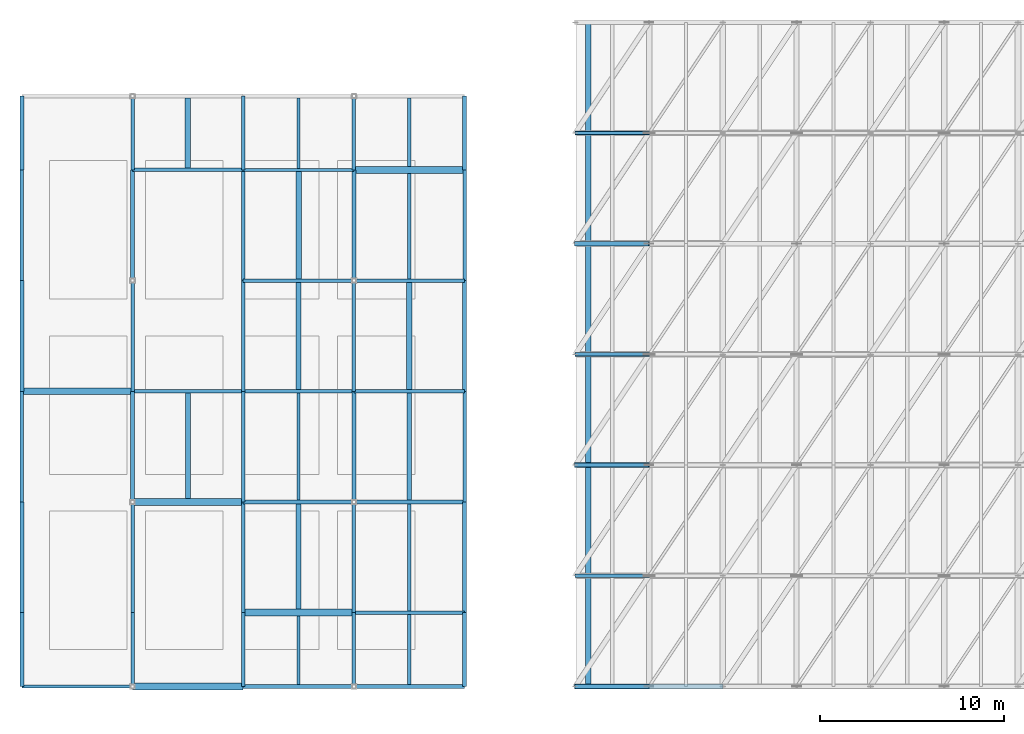
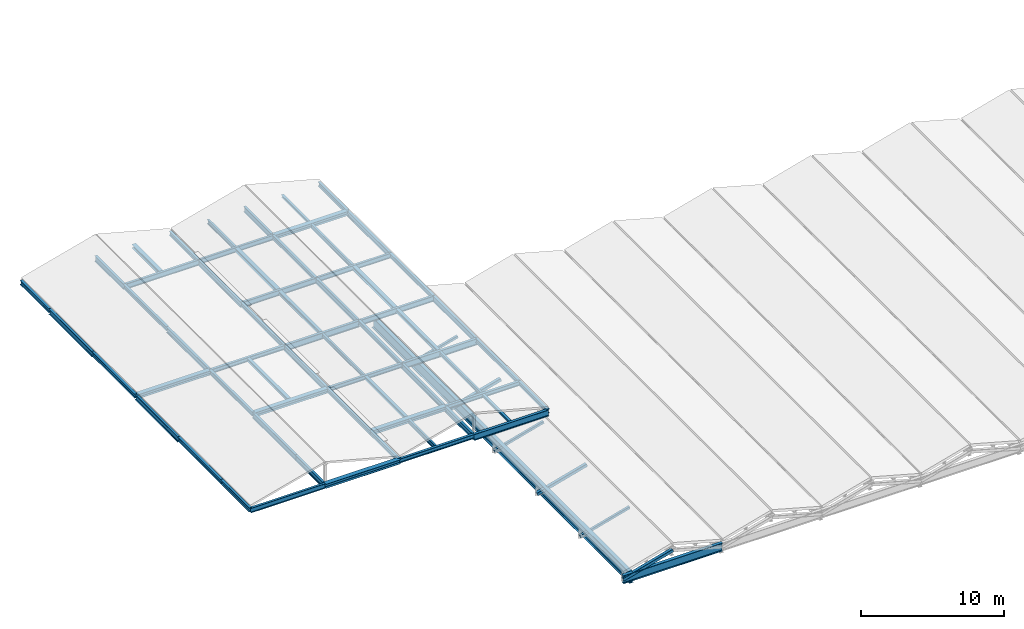
# One storey, part 3 of 27: 64 beams, 6 members.
"""IFC4 building model written with IfcOpenShell, lengths in metres."""

from ifc_helpers import new_model, si_unit, direction, frame, origin, origin_2d, place, context, subcontext, project, spatial, hollow_rectangle, i_section, extrude, material, material_profile, profile_set, type_object, element, save


model = new_model("IFC4")

# Units and contexts
model_context = context("Model", 3, precision=1e-05, world=origin(), true_north=direction((0.0, 1.0)))
body_context = subcontext(model_context, "Body", "Model", "MODEL_VIEW")
ifc_project = project(units=[si_unit("LENGTHUNIT", "METRE"), si_unit("AREAUNIT", "SQUARE_METRE"), si_unit("VOLUMEUNIT", "CUBIC_METRE"), si_unit("PLANEANGLEUNIT", "RADIAN"), si_unit("MASSUNIT", "GRAM", prefix="KILO")], contexts=[model_context])

# Site, building, storey
site_placement = place(None, origin())
site = spatial("IfcSite", under=ifc_project, at=site_placement, CompositionType="ELEMENT")
building_placement = place(site_placement, origin())
building = spatial("IfcBuilding", under=site, at=building_placement, Name="Verrall Gate Interchange", CompositionType="ELEMENT")
storey_placement = place(building_placement, frame((0.0, 0.0, 32.800048828125)))
storey = spatial("IfcBuildingStorey", under=building, at=storey_placement, Name="RF", CompositionType="ELEMENT", Elevation=32.800048828125)

# Beams
ifc_material_1 = material(Name="Structural Steel CSA G40.21 350WT Cat 4", Category="steel")
ifc_material_profile_1 = material_profile(ifc_material_1, i_section(OverallWidth=0.30810546875, OverallDepth=0.927001953125, WebThickness=0.019287109375, FlangeThickness=0.03173828125, FilletRadius=0.02197265625, at=origin_2d()), Name="W920x345")
ifc_profile_set_1 = profile_set([ifc_material_profile_1], Name="Structural Steel CSA G40.21 350WT Cat 4")
beam_type_1 = type_object("IfcBeamType", Name="B-04 Structural Beam W920x345", PredefinedType="BEAM", material=ifc_profile_set_1)
beam_1_placement = place(storey_placement, frame((36.699951171875, 12.0, -16.921630859375), z_axis=(0.0, 1.0, 0.0), x_axis=(-1.0, 0.0, 0.0)))
element("IfcBeam", 1, at=beam_1_placement, inside=storey, type_object=beam_type_1, Name="Folded-Plate Valley Girder X=36", PredefinedType="BEAM", context=body_context, shape_type="SweptSolid", body=[
    extrude(i_section(OverallWidth=0.30810546875, OverallDepth=0.927001953125, WebThickness=0.019287109375, FlangeThickness=0.03173828125, FilletRadius=0.02197265625, at=origin_2d()), origin(), (0.0, 0.0, 1.0), 36.0),
])
ifc_material_2 = material(Name="Structural Steel CSA G40.21 350WT Cat 4", Category="steel")
ifc_material_profile_2 = material_profile(ifc_material_2, i_section(OverallWidth=0.256103515625, OverallDepth=0.693115234375, WebThickness=0.01318359375, FlangeThickness=0.02001953125, FilletRadius=0.01611328125, at=origin_2d()), Name="W690x170")
ifc_profile_set_2 = profile_set([ifc_material_profile_2], Name="Structural Steel CSA G40.21 350WT Cat 4")
beam_type_2 = type_object("IfcBeamType", Name="B-07 Structural Beam W690x170", PredefinedType="BEAM", material=ifc_profile_set_2)
beam_2_placement = place(storey_placement, frame((36.0, 12.0, -16.8046875), z_axis=(1.0, 0.0, 0.0), x_axis=(0.0, 1.0, 0.0)))
element("IfcBeam", 2, at=beam_2_placement, inside=storey, type_object=beam_type_2, Name="Concourse Roof End Tie Girder 01", PredefinedType="BEAM", context=body_context, shape_type="SweptSolid", body=[
    extrude(i_section(OverallWidth=0.256103515625, OverallDepth=0.693115234375, WebThickness=0.01318359375, FlangeThickness=0.02001953125, FilletRadius=0.01611328125, at=origin_2d()), origin(), (0.0, 0.0, 1.0), 8.0),
])
ifc_material_3 = material(Name="Structural Steel CSA G40.21 350W", Category="steel")
ifc_material_profile_3 = material_profile(ifc_material_3, i_section(OverallWidth=0.2109375, OverallDepth=0.5390625, WebThickness=0.01171875, FlangeThickness=0.018798828125, FilletRadius=0.013916015625, at=origin_2d()), Name="W530x109")
ifc_profile_set_3 = profile_set([ifc_material_profile_3], Name="Structural Steel CSA G40.21 350W")
beam_type_3 = type_object("IfcBeamType", Name="B-10 Structural Beam W530x109", PredefinedType="BEAM", material=ifc_profile_set_3)
for number, where, z_axis, x_axis, name in (
    (3, (24.0, 12.0, -0.489501953125), (1.0, 0.0, 0.0), (0.0, 1.0, 0.0), "RF Girder BM-RF-3354 (B-10)"),
    (4, (24.0, 22.0, -0.489501953125), (1.0, 0.0, 0.0), (0.0, 1.0, 0.0), "RF Girder BM-RF-3359 (B-10)"),
    (5, (18.0, 28.0, -0.489501953125), (1.0, 0.0, 0.0), (0.0, 1.0, 0.0), "RF Girder BM-RF-3362 (B-10)"),
):
    element("IfcBeam", number, at=place(storey_placement, frame(where, z_axis=z_axis, x_axis=x_axis)), inside=storey, type_object=beam_type_3, Name=name, PredefinedType="BEAM", context=body_context, shape_type="SweptSolid", body=[
        extrude(i_section(OverallWidth=0.2109375, OverallDepth=0.5390625, WebThickness=0.01171875, FlangeThickness=0.018798828125, FilletRadius=0.013916015625, at=origin_2d()), origin(), (0.0, 0.0, 1.0), 6.0),
    ])
ifc_material_4 = material(Name="Structural Steel CSA G40.21 350W", Category="steel")
ifc_material_profile_4 = material_profile(ifc_material_4, i_section(OverallWidth=0.19189453125, OverallDepth=0.462890625, WebThickness=0.010498046875, FlangeThickness=0.017578125, FilletRadius=0.012939453125, at=origin_2d()), Name="W460x89")
ifc_profile_set_4 = profile_set([ifc_material_profile_4], Name="Structural Steel CSA G40.21 350W")
beam_type_4 = type_object("IfcBeamType", Name="B-11 Structural Beam W460x89", PredefinedType="BEAM", material=ifc_profile_set_4)
for number, where, z_axis, x_axis, name in (
    (6, (24.0, 28.0, -0.45166015625), (1.0, 0.0, 0.0), (0.0, 1.0, 0.0), "RF Girder BM-RF-3363 (B-11)"),
    (7, (18.0, 34.0, -0.45166015625), (1.0, 0.0, 0.0), (0.0, 1.0, 0.0), "RF Girder BM-RF-3364 (B-11)"),
    (8, (12.0, 40.0, -0.45166015625), (1.0, 0.0, 0.0), (0.0, 1.0, 0.0), "RF Girder BM-RF-3366 (B-11)"),
    (9, (6.0, 22.0, -0.45166015625), (0.0, 1.0, 0.0), (-1.0, 0.0, 0.0), "RF Girder BM-RF-3375 (B-11)"),
    (10, (6.0, 34.0, -0.45166015625), (0.0, 1.0, 0.0), (-1.0, 0.0, 0.0), "RF Girder BM-RF-3377 (B-11)"),
):
    element("IfcBeam", number, at=place(storey_placement, frame(where, z_axis=z_axis, x_axis=x_axis)), inside=storey, type_object=beam_type_4, Name=name, PredefinedType="BEAM", context=body_context, shape_type="SweptSolid", body=[
        extrude(i_section(OverallWidth=0.19189453125, OverallDepth=0.462890625, WebThickness=0.010498046875, FlangeThickness=0.017578125, FilletRadius=0.012939453125, at=origin_2d()), origin(), (0.0, 0.0, 1.0), 6.0),
    ])
beam_3_placement = place(storey_placement, frame((12.0, 12.0, -0.45166015625), z_axis=(0.0, 1.0, 0.0), x_axis=(-1.0, 0.0, 0.0)))
element("IfcBeam", 11, at=beam_3_placement, inside=storey, type_object=beam_type_4, Name="RF Girder BM-RF-3379 (B-11)", PredefinedType="BEAM", context=body_context, shape_type="SweptSolid", body=[
    extrude(i_section(OverallWidth=0.19189453125, OverallDepth=0.462890625, WebThickness=0.010498046875, FlangeThickness=0.017578125, FilletRadius=0.012939453125, at=origin_2d()), origin(), (0.0, 0.0, 1.0), 4.0),
])
for number, where, z_axis, x_axis, name in (
    (12, (12.0, 16.0, -0.45166015625), (0.0, 1.0, 0.0), (-1.0, 0.0, 0.0), "RF Girder BM-RF-3380 (B-11)"),
    (13, (12.0, 28.0, -0.45166015625), (0.0, 1.0, 0.0), (-1.0, 0.0, 0.0), "RF Girder BM-RF-3382 (B-11)"),
):
    element("IfcBeam", number, at=place(storey_placement, frame(where, z_axis=z_axis, x_axis=x_axis)), inside=storey, type_object=beam_type_4, Name=name, PredefinedType="BEAM", context=body_context, shape_type="SweptSolid", body=[
        extrude(i_section(OverallWidth=0.19189453125, OverallDepth=0.462890625, WebThickness=0.010498046875, FlangeThickness=0.017578125, FilletRadius=0.012939453125, at=origin_2d()), origin(), (0.0, 0.0, 1.0), 6.0),
    ])
beam_4_placement = place(storey_placement, frame((12.0, 40.0, -0.45166015625), z_axis=(0.0, 1.0, 0.0), x_axis=(-1.0, 0.0, 0.0)))
element("IfcBeam", 14, at=beam_4_placement, inside=storey, type_object=beam_type_4, Name="RF Girder BM-RF-3384 (B-11)", PredefinedType="BEAM", context=body_context, shape_type="SweptSolid", body=[
    extrude(i_section(OverallWidth=0.19189453125, OverallDepth=0.462890625, WebThickness=0.010498046875, FlangeThickness=0.017578125, FilletRadius=0.012939453125, at=origin_2d()), origin(), (0.0, 0.0, 1.0), 4.0),
])
for number, where, z_axis, x_axis, name in (
    (15, (18.0, 22.0, -0.45166015625), (0.0, 1.0, 0.0), (-1.0, 0.0, 0.0), "RF Girder BM-RF-3387 (B-11)"),
    (16, (18.0, 34.0, -0.45166015625), (0.0, 1.0, 0.0), (-1.0, 0.0, 0.0), "RF Girder BM-RF-3389 (B-11)"),
):
    element("IfcBeam", number, at=place(storey_placement, frame(where, z_axis=z_axis, x_axis=x_axis)), inside=storey, type_object=beam_type_4, Name=name, PredefinedType="BEAM", context=body_context, shape_type="SweptSolid", body=[
        extrude(i_section(OverallWidth=0.19189453125, OverallDepth=0.462890625, WebThickness=0.010498046875, FlangeThickness=0.017578125, FilletRadius=0.012939453125, at=origin_2d()), origin(), (0.0, 0.0, 1.0), 6.0),
    ])
beam_5_placement = place(storey_placement, frame((24.0, 12.0, -0.45166015625), z_axis=(0.0, 1.0, 0.0), x_axis=(-1.0, 0.0, 0.0)))
element("IfcBeam", 17, at=beam_5_placement, inside=storey, type_object=beam_type_4, Name="RF Girder BM-RF-3391 (B-11)", PredefinedType="BEAM", context=body_context, shape_type="SweptSolid", body=[
    extrude(i_section(OverallWidth=0.19189453125, OverallDepth=0.462890625, WebThickness=0.010498046875, FlangeThickness=0.017578125, FilletRadius=0.012939453125, at=origin_2d()), origin(), (0.0, 0.0, 1.0), 4.0),
])
for number, where, z_axis, x_axis, name in (
    (18, (24.0, 16.0, -0.45166015625), (0.0, 1.0, 0.0), (-1.0, 0.0, 0.0), "RF Girder BM-RF-3392 (B-11)"),
    (19, (24.0, 28.0, -0.45166015625), (0.0, 1.0, 0.0), (-1.0, 0.0, 0.0), "RF Girder BM-RF-3394 (B-11)"),
):
    element("IfcBeam", number, at=place(storey_placement, frame(where, z_axis=z_axis, x_axis=x_axis)), inside=storey, type_object=beam_type_4, Name=name, PredefinedType="BEAM", context=body_context, shape_type="SweptSolid", body=[
        extrude(i_section(OverallWidth=0.19189453125, OverallDepth=0.462890625, WebThickness=0.010498046875, FlangeThickness=0.017578125, FilletRadius=0.012939453125, at=origin_2d()), origin(), (0.0, 0.0, 1.0), 6.0),
    ])
beam_6_placement = place(storey_placement, frame((24.0, 40.0, -0.45166015625), z_axis=(0.0, 1.0, 0.0), x_axis=(-1.0, 0.0, 0.0)))
element("IfcBeam", 20, at=beam_6_placement, inside=storey, type_object=beam_type_4, Name="RF Girder BM-RF-3396 (B-11)", PredefinedType="BEAM", context=body_context, shape_type="SweptSolid", body=[
    extrude(i_section(OverallWidth=0.19189453125, OverallDepth=0.462890625, WebThickness=0.010498046875, FlangeThickness=0.017578125, FilletRadius=0.012939453125, at=origin_2d()), origin(), (0.0, 0.0, 1.0), 4.0),
])
for number, where, z_axis, x_axis, name in (
    (21, (30.0, 22.0, -0.45166015625), (0.0, 1.0, 0.0), (-1.0, 0.0, 0.0), "RF Girder BM-RF-3399 (B-11)"),
    (22, (30.0, 34.0, -0.45166015625), (0.0, 1.0, 0.0), (-1.0, 0.0, 0.0), "RF Girder BM-RF-3401 (B-11)"),
):
    element("IfcBeam", number, at=place(storey_placement, frame(where, z_axis=z_axis, x_axis=x_axis)), inside=storey, type_object=beam_type_4, Name=name, PredefinedType="BEAM", context=body_context, shape_type="SweptSolid", body=[
        extrude(i_section(OverallWidth=0.19189453125, OverallDepth=0.462890625, WebThickness=0.010498046875, FlangeThickness=0.017578125, FilletRadius=0.012939453125, at=origin_2d()), origin(), (0.0, 0.0, 1.0), 6.0),
    ])
ifc_material_5 = material(Name="Structural Steel CSA G40.21 350W", Category="steel")
ifc_material_profile_5 = material_profile(ifc_material_5, i_section(OverallWidth=0.178955078125, OverallDepth=0.409912109375, WebThickness=0.0087890625, FlangeThickness=0.014404296875, FilletRadius=0.011962890625, at=origin_2d()), Name="W410x67")
ifc_profile_set_5 = profile_set([ifc_material_profile_5], Name="Structural Steel CSA G40.21 350W")
beam_type_5 = type_object("IfcBeamType", Name="B-12 Structural Beam W410x67", PredefinedType="BEAM", material=ifc_profile_set_5)
for number, where, z_axis, x_axis, name in (
    (23, (6.0, 12.0, -0.425048828125), (1.0, 0.0, 0.0), (0.0, 1.0, 0.0), "RF Girder BM-RF-3351 (B-12)"),
    (24, (24.0, 34.0, -0.425048828125), (1.0, 0.0, 0.0), (0.0, 1.0, 0.0), "RF Girder BM-RF-3365 (B-12)"),
    (25, (18.0, 40.0, -0.425048828125), (1.0, 0.0, 0.0), (0.0, 1.0, 0.0), "RF Girder BM-RF-3367 (B-12)"),
):
    element("IfcBeam", number, at=place(storey_placement, frame(where, z_axis=z_axis, x_axis=x_axis)), inside=storey, type_object=beam_type_5, Name=name, PredefinedType="BEAM", context=body_context, shape_type="SweptSolid", body=[
        extrude(i_section(OverallWidth=0.178955078125, OverallDepth=0.409912109375, WebThickness=0.0087890625, FlangeThickness=0.014404296875, FilletRadius=0.011962890625, at=origin_2d()), origin(), (0.0, 0.0, 1.0), 6.0),
    ])
ifc_material_6 = material(Name="Structural Steel CSA G40.21 350W", Category="steel")
ifc_material_profile_6 = material_profile(ifc_material_6, i_section(OverallWidth=0.368896484375, OverallDepth=0.35595703125, WebThickness=0.01123046875, FlangeThickness=0.01806640625, FilletRadius=0.014892578125, at=origin_2d()), Name="W360x134")
ifc_profile_set_6 = profile_set([ifc_material_profile_6], Name="Structural Steel CSA G40.21 350W")
beam_type_6 = type_object("IfcBeamType", Name="B-13 Structural Beam W360x134", PredefinedType="BEAM", material=ifc_profile_set_6)
for number, where, z_axis, x_axis, name in (
    (26, (12.0, 12.0, -0.39794921875), (1.0, 0.0, 0.0), (0.0, 1.0, 0.0), "RF Girder BM-RF-3352 (B-13)"),
    (27, (18.0, 16.0, -0.39794921875), (1.0, 0.0, 0.0), (0.0, 1.0, 0.0), "RF Girder BM-RF-3355 (B-13)"),
    (28, (12.0, 22.0, -0.39794921875), (1.0, 0.0, 0.0), (0.0, 1.0, 0.0), "RF Girder BM-RF-3357 (B-13)"),
    (29, (6.0, 28.0, -0.39794921875), (1.0, 0.0, 0.0), (0.0, 1.0, 0.0), "RF Girder BM-RF-3360 (B-13)"),
    (30, (24.0, 40.0, -0.39794921875), (1.0, 0.0, 0.0), (0.0, 1.0, 0.0), "RF Girder BM-RF-3368 (B-13)"),
):
    element("IfcBeam", number, at=place(storey_placement, frame(where, z_axis=z_axis, x_axis=x_axis)), inside=storey, type_object=beam_type_6, Name=name, PredefinedType="BEAM", context=body_context, shape_type="SweptSolid", body=[
        extrude(i_section(OverallWidth=0.368896484375, OverallDepth=0.35595703125, WebThickness=0.01123046875, FlangeThickness=0.01806640625, FilletRadius=0.014892578125, at=origin_2d()), origin(), (0.0, 0.0, 1.0), 6.0),
    ])
ifc_material_7 = material(Name="Structural Steel CSA G40.21 350W", Category="steel")
ifc_material_profile_7 = material_profile(ifc_material_7, i_section(OverallWidth=0.205078125, OverallDepth=0.35400390625, WebThickness=0.009521484375, FlangeThickness=0.016845703125, FilletRadius=0.012939453125, at=origin_2d()), Name="W360x79")
ifc_profile_set_7 = profile_set([ifc_material_profile_7], Name="Structural Steel CSA G40.21 350W")
beam_type_7 = type_object("IfcBeamType", Name="B-14 Structural Beam W360x79", PredefinedType="BEAM", material=ifc_profile_set_7)
for number, where, z_axis, x_axis, name in (
    (31, (18.0, 12.0, -0.39697265625), (1.0, 0.0, 0.0), (0.0, 1.0, 0.0), "RF Girder BM-RF-3353 (B-14)"),
    (32, (24.0, 16.0, -0.39697265625), (1.0, 0.0, 0.0), (0.0, 1.0, 0.0), "RF Girder BM-RF-3356 (B-14)"),
    (33, (18.0, 22.0, -0.39697265625), (1.0, 0.0, 0.0), (0.0, 1.0, 0.0), "RF Girder BM-RF-3358 (B-14)"),
    (34, (12.0, 28.0, -0.39697265625), (1.0, 0.0, 0.0), (0.0, 1.0, 0.0), "RF Girder BM-RF-3361 (B-14)"),
):
    element("IfcBeam", number, at=place(storey_placement, frame(where, z_axis=z_axis, x_axis=x_axis)), inside=storey, type_object=beam_type_7, Name=name, PredefinedType="BEAM", context=body_context, shape_type="SweptSolid", body=[
        extrude(i_section(OverallWidth=0.205078125, OverallDepth=0.35400390625, WebThickness=0.009521484375, FlangeThickness=0.016845703125, FilletRadius=0.012939453125, at=origin_2d()), origin(), (0.0, 0.0, 1.0), 6.0),
    ])
beam_7_placement = place(storey_placement, frame((6.0, 12.0, -0.39697265625), z_axis=(0.0, 1.0, 0.0), x_axis=(-1.0, 0.0, 0.0)))
element("IfcBeam", 35, at=beam_7_placement, inside=storey, type_object=beam_type_7, Name="RF Girder BM-RF-3373 (B-14)", PredefinedType="BEAM", context=body_context, shape_type="SweptSolid", body=[
    extrude(i_section(OverallWidth=0.205078125, OverallDepth=0.35400390625, WebThickness=0.009521484375, FlangeThickness=0.016845703125, FilletRadius=0.012939453125, at=origin_2d()), origin(), (0.0, 0.0, 1.0), 4.0),
])
for number, where, z_axis, x_axis, name in (
    (36, (6.0, 16.0, -0.39697265625), (0.0, 1.0, 0.0), (-1.0, 0.0, 0.0), "RF Girder BM-RF-3374 (B-14)"),
    (37, (6.0, 28.0, -0.39697265625), (0.0, 1.0, 0.0), (-1.0, 0.0, 0.0), "RF Girder BM-RF-3376 (B-14)"),
):
    element("IfcBeam", number, at=place(storey_placement, frame(where, z_axis=z_axis, x_axis=x_axis)), inside=storey, type_object=beam_type_7, Name=name, PredefinedType="BEAM", context=body_context, shape_type="SweptSolid", body=[
        extrude(i_section(OverallWidth=0.205078125, OverallDepth=0.35400390625, WebThickness=0.009521484375, FlangeThickness=0.016845703125, FilletRadius=0.012939453125, at=origin_2d()), origin(), (0.0, 0.0, 1.0), 6.0),
    ])
beam_8_placement = place(storey_placement, frame((6.0, 40.0, -0.39697265625), z_axis=(0.0, 1.0, 0.0), x_axis=(-1.0, 0.0, 0.0)))
element("IfcBeam", 38, at=beam_8_placement, inside=storey, type_object=beam_type_7, Name="RF Girder BM-RF-3378 (B-14)", PredefinedType="BEAM", context=body_context, shape_type="SweptSolid", body=[
    extrude(i_section(OverallWidth=0.205078125, OverallDepth=0.35400390625, WebThickness=0.009521484375, FlangeThickness=0.016845703125, FilletRadius=0.012939453125, at=origin_2d()), origin(), (0.0, 0.0, 1.0), 4.0),
])
for number, where, z_axis, x_axis, name in (
    (39, (12.0, 22.0, -0.39697265625), (0.0, 1.0, 0.0), (-1.0, 0.0, 0.0), "RF Girder BM-RF-3381 (B-14)"),
    (40, (12.0, 34.0, -0.39697265625), (0.0, 1.0, 0.0), (-1.0, 0.0, 0.0), "RF Girder BM-RF-3383 (B-14)"),
):
    element("IfcBeam", number, at=place(storey_placement, frame(where, z_axis=z_axis, x_axis=x_axis)), inside=storey, type_object=beam_type_7, Name=name, PredefinedType="BEAM", context=body_context, shape_type="SweptSolid", body=[
        extrude(i_section(OverallWidth=0.205078125, OverallDepth=0.35400390625, WebThickness=0.009521484375, FlangeThickness=0.016845703125, FilletRadius=0.012939453125, at=origin_2d()), origin(), (0.0, 0.0, 1.0), 6.0),
    ])
beam_9_placement = place(storey_placement, frame((18.0, 12.0, -0.39697265625), z_axis=(0.0, 1.0, 0.0), x_axis=(-1.0, 0.0, 0.0)))
element("IfcBeam", 41, at=beam_9_placement, inside=storey, type_object=beam_type_7, Name="RF Girder BM-RF-3385 (B-14)", PredefinedType="BEAM", context=body_context, shape_type="SweptSolid", body=[
    extrude(i_section(OverallWidth=0.205078125, OverallDepth=0.35400390625, WebThickness=0.009521484375, FlangeThickness=0.016845703125, FilletRadius=0.012939453125, at=origin_2d()), origin(), (0.0, 0.0, 1.0), 4.0),
])
for number, where, z_axis, x_axis, name in (
    (42, (18.0, 16.0, -0.39697265625), (0.0, 1.0, 0.0), (-1.0, 0.0, 0.0), "RF Girder BM-RF-3386 (B-14)"),
    (43, (18.0, 28.0, -0.39697265625), (0.0, 1.0, 0.0), (-1.0, 0.0, 0.0), "RF Girder BM-RF-3388 (B-14)"),
):
    element("IfcBeam", number, at=place(storey_placement, frame(where, z_axis=z_axis, x_axis=x_axis)), inside=storey, type_object=beam_type_7, Name=name, PredefinedType="BEAM", context=body_context, shape_type="SweptSolid", body=[
        extrude(i_section(OverallWidth=0.205078125, OverallDepth=0.35400390625, WebThickness=0.009521484375, FlangeThickness=0.016845703125, FilletRadius=0.012939453125, at=origin_2d()), origin(), (0.0, 0.0, 1.0), 6.0),
    ])
beam_10_placement = place(storey_placement, frame((18.0, 40.0, -0.39697265625), z_axis=(0.0, 1.0, 0.0), x_axis=(-1.0, 0.0, 0.0)))
element("IfcBeam", 44, at=beam_10_placement, inside=storey, type_object=beam_type_7, Name="RF Girder BM-RF-3390 (B-14)", PredefinedType="BEAM", context=body_context, shape_type="SweptSolid", body=[
    extrude(i_section(OverallWidth=0.205078125, OverallDepth=0.35400390625, WebThickness=0.009521484375, FlangeThickness=0.016845703125, FilletRadius=0.012939453125, at=origin_2d()), origin(), (0.0, 0.0, 1.0), 4.0),
])
for number, where, z_axis, x_axis, name in (
    (45, (24.0, 22.0, -0.39697265625), (0.0, 1.0, 0.0), (-1.0, 0.0, 0.0), "RF Girder BM-RF-3393 (B-14)"),
    (46, (24.0, 34.0, -0.39697265625), (0.0, 1.0, 0.0), (-1.0, 0.0, 0.0), "RF Girder BM-RF-3395 (B-14)"),
):
    element("IfcBeam", number, at=place(storey_placement, frame(where, z_axis=z_axis, x_axis=x_axis)), inside=storey, type_object=beam_type_7, Name=name, PredefinedType="BEAM", context=body_context, shape_type="SweptSolid", body=[
        extrude(i_section(OverallWidth=0.205078125, OverallDepth=0.35400390625, WebThickness=0.009521484375, FlangeThickness=0.016845703125, FilletRadius=0.012939453125, at=origin_2d()), origin(), (0.0, 0.0, 1.0), 6.0),
    ])
beam_11_placement = place(storey_placement, frame((30.0, 12.0, -0.39697265625), z_axis=(0.0, 1.0, 0.0), x_axis=(-1.0, 0.0, 0.0)))
element("IfcBeam", 47, at=beam_11_placement, inside=storey, type_object=beam_type_7, Name="RF Girder BM-RF-3397 (B-14)", PredefinedType="BEAM", context=body_context, shape_type="SweptSolid", body=[
    extrude(i_section(OverallWidth=0.205078125, OverallDepth=0.35400390625, WebThickness=0.009521484375, FlangeThickness=0.016845703125, FilletRadius=0.012939453125, at=origin_2d()), origin(), (0.0, 0.0, 1.0), 4.0),
])
for number, where, z_axis, x_axis, name in (
    (48, (30.0, 16.0, -0.39697265625), (0.0, 1.0, 0.0), (-1.0, 0.0, 0.0), "RF Girder BM-RF-3398 (B-14)"),
    (49, (30.0, 28.0, -0.39697265625), (0.0, 1.0, 0.0), (-1.0, 0.0, 0.0), "RF Girder BM-RF-3400 (B-14)"),
):
    element("IfcBeam", number, at=place(storey_placement, frame(where, z_axis=z_axis, x_axis=x_axis)), inside=storey, type_object=beam_type_7, Name=name, PredefinedType="BEAM", context=body_context, shape_type="SweptSolid", body=[
        extrude(i_section(OverallWidth=0.205078125, OverallDepth=0.35400390625, WebThickness=0.009521484375, FlangeThickness=0.016845703125, FilletRadius=0.012939453125, at=origin_2d()), origin(), (0.0, 0.0, 1.0), 6.0),
    ])
beam_12_placement = place(storey_placement, frame((30.0, 40.0, -0.39697265625), z_axis=(0.0, 1.0, 0.0), x_axis=(-1.0, 0.0, 0.0)))
element("IfcBeam", 50, at=beam_12_placement, inside=storey, type_object=beam_type_7, Name="RF Girder BM-RF-3402 (B-14)", PredefinedType="BEAM", context=body_context, shape_type="SweptSolid", body=[
    extrude(i_section(OverallWidth=0.205078125, OverallDepth=0.35400390625, WebThickness=0.009521484375, FlangeThickness=0.016845703125, FilletRadius=0.012939453125, at=origin_2d()), origin(), (0.0, 0.0, 1.0), 4.0),
])
ifc_material_8 = material(Name="Structural Steel CSA G40.21 350W", Category="steel")
ifc_material_profile_8 = material_profile(ifc_material_8, i_section(OverallWidth=0.172119140625, OverallDepth=0.35791015625, WebThickness=0.0078125, FlangeThickness=0.01318359375, FilletRadius=0.010986328125, at=origin_2d()), Name="W360x57")
ifc_profile_set_8 = profile_set([ifc_material_profile_8], Name="Structural Steel CSA G40.21 350W")
beam_type_8 = type_object("IfcBeamType", Name="J-01 Floor Joist W360x57", PredefinedType="JOIST", material=ifc_profile_set_8)
beam_13_placement = place(storey_placement, frame((21.0, 12.1025390625, -0.399169921875), z_axis=(0.0, 1.0, 0.0), x_axis=(-1.0, 0.0, 0.0)))
element("IfcBeam", 51, at=beam_13_placement, inside=storey, type_object=beam_type_8, Name="RF Secondary Floor Joist JST-RF-3403", PredefinedType="JOIST", context=body_context, shape_type="SweptSolid", body=[
    extrude(i_section(OverallWidth=0.172119140625, OverallDepth=0.35791015625, WebThickness=0.0078125, FlangeThickness=0.01318359375, FilletRadius=0.010986328125, at=origin_2d()), origin(), (0.0, 0.0, 1.0), 3.712890625),
])
beam_14_placement = place(storey_placement, frame((27.0, 34.089599609375, -0.399169921875), z_axis=(0.0, 1.0, 0.0), x_axis=(-1.0, 0.0, 0.0)))
element("IfcBeam", 52, at=beam_14_placement, inside=storey, type_object=beam_type_8, Name="RF Secondary Floor Joist JST-RF-3413", PredefinedType="JOIST", context=body_context, shape_type="SweptSolid", body=[
    extrude(i_section(OverallWidth=0.172119140625, OverallDepth=0.35791015625, WebThickness=0.0078125, FlangeThickness=0.01318359375, FilletRadius=0.010986328125, at=origin_2d()), origin(), (0.0, 0.0, 1.0), 5.725830078125),
])
beam_15_placement = place(storey_placement, frame((21.0, 40.089599609375, -0.399169921875), z_axis=(0.0, 1.0, 0.0), x_axis=(-1.0, 0.0, 0.0)))
element("IfcBeam", 53, at=beam_15_placement, inside=storey, type_object=beam_type_8, Name="RF Secondary Floor Joist JST-RF-3415", PredefinedType="JOIST", context=body_context, shape_type="SweptSolid", body=[
    extrude(i_section(OverallWidth=0.172119140625, OverallDepth=0.35791015625, WebThickness=0.0078125, FlangeThickness=0.01318359375, FilletRadius=0.010986328125, at=origin_2d()), origin(), (0.0, 0.0, 1.0), 3.814453125),
])
ifc_material_9 = material(Name="Structural Steel CSA G40.21 350W", Category="steel")
ifc_material_profile_9 = material_profile(ifc_material_9, i_section(OverallWidth=0.306884765625, OverallDepth=0.31396484375, WebThickness=0.011962890625, FlangeThickness=0.018798828125, FilletRadius=0.013916015625, at=origin_2d()), Name="W310x118")
ifc_profile_set_9 = profile_set([ifc_material_profile_9], Name="Structural Steel CSA G40.21 350W")
beam_type_9 = type_object("IfcBeamType", Name="J-02 Floor Joist W310x118", PredefinedType="JOIST", material=ifc_profile_set_9)
for number, where, z_axis, x_axis, name in (
    (54, (27.0, 28.095947265625, -0.376953125), (0.0, 1.0, 0.0), (-1.0, 0.0, 0.0), "RF Secondary Floor Joist JST-RF-3411"),
    (55, (21.0, 34.095947265625, -0.376953125), (0.0, 1.0, 0.0), (-1.0, 0.0, 0.0), "RF Secondary Floor Joist JST-RF-3412"),
):
    element("IfcBeam", number, at=place(storey_placement, frame(where, z_axis=z_axis, x_axis=x_axis)), inside=storey, type_object=beam_type_9, Name=name, PredefinedType="JOIST", context=body_context, shape_type="SweptSolid", body=[
        extrude(i_section(OverallWidth=0.306884765625, OverallDepth=0.31396484375, WebThickness=0.011962890625, FlangeThickness=0.018798828125, FilletRadius=0.013916015625, at=origin_2d()), origin(), (0.0, 0.0, 1.0), 5.814453125),
    ])
beam_16_placement = place(storey_placement, frame((15.0, 40.095947265625, -0.376953125), z_axis=(0.0, 1.0, 0.0), x_axis=(-1.0, 0.0, 0.0)))
element("IfcBeam", 56, at=beam_16_placement, inside=storey, type_object=beam_type_9, Name="RF Secondary Floor Joist JST-RF-3414", PredefinedType="JOIST", context=body_context, shape_type="SweptSolid", body=[
    extrude(i_section(OverallWidth=0.306884765625, OverallDepth=0.31396484375, WebThickness=0.011962890625, FlangeThickness=0.018798828125, FilletRadius=0.013916015625, at=origin_2d()), origin(), (0.0, 0.0, 1.0), 3.798583984375),
])
ifc_material_10 = material(Name="Structural Steel CSA G40.21 350W", Category="steel")
ifc_material_profile_10 = material_profile(ifc_material_10, i_section(OverallWidth=0.25390625, OverallDepth=0.305908203125, WebThickness=0.0087890625, FlangeThickness=0.0146484375, FilletRadius=0.012939453125, at=origin_2d()), Name="W310x79")
ifc_profile_set_10 = profile_set([ifc_material_profile_10], Name="Structural Steel CSA G40.21 350W")
beam_type_10 = type_object("IfcBeamType", Name="J-03 Floor Joist W310x79", PredefinedType="JOIST", material=ifc_profile_set_10)
for number, where, z_axis, x_axis, name in (
    (57, (27.0, 22.10546875, -0.373046875), (0.0, 1.0, 0.0), (-1.0, 0.0, 0.0), "RF Secondary Floor Joist JST-RF-3409"),
    (58, (21.0, 28.10546875, -0.373046875), (0.0, 1.0, 0.0), (-1.0, 0.0, 0.0), "RF Secondary Floor Joist JST-RF-3410"),
):
    element("IfcBeam", number, at=place(storey_placement, frame(where, z_axis=z_axis, x_axis=x_axis)), inside=storey, type_object=beam_type_10, Name=name, PredefinedType="JOIST", context=body_context, shape_type="SweptSolid", body=[
        extrude(i_section(OverallWidth=0.25390625, OverallDepth=0.305908203125, WebThickness=0.0087890625, FlangeThickness=0.0146484375, FilletRadius=0.012939453125, at=origin_2d()), origin(), (0.0, 0.0, 1.0), 5.798583984375),
    ])
ifc_material_11 = material(Name="Structural Steel CSA G40.21 350W", Category="steel")
ifc_material_profile_11 = material_profile(ifc_material_11, i_section(OverallWidth=0.1650390625, OverallDepth=0.31005859375, WebThickness=0.005859375, FlangeThickness=0.009765625, FilletRadius=0.010009765625, at=origin_2d()), Name="W310x39")
ifc_profile_set_11 = profile_set([ifc_material_profile_11], Name="Structural Steel CSA G40.21 350W")
beam_type_11 = type_object("IfcBeamType", Name="J-04 Floor Joist W310x39", PredefinedType="JOIST", material=ifc_profile_set_11)
for number, where, z_axis, x_axis, name in (
    (59, (27.0, 16.1025390625, -0.375), (0.0, 1.0, 0.0), (-1.0, 0.0, 0.0), "RF Secondary Floor Joist JST-RF-3406"),
    (60, (21.0, 22.1025390625, -0.375), (0.0, 1.0, 0.0), (-1.0, 0.0, 0.0), "RF Secondary Floor Joist JST-RF-3408"),
):
    element("IfcBeam", number, at=place(storey_placement, frame(where, z_axis=z_axis, x_axis=x_axis)), inside=storey, type_object=beam_type_11, Name=name, PredefinedType="JOIST", context=body_context, shape_type="SweptSolid", body=[
        extrude(i_section(OverallWidth=0.1650390625, OverallDepth=0.31005859375, WebThickness=0.005859375, FlangeThickness=0.009765625, FilletRadius=0.010009765625, at=origin_2d()), origin(), (0.0, 0.0, 1.0), 5.7919921875),
    ])
ifc_material_12 = material(Name="Structural Steel CSA G40.21 350W", Category="steel")
ifc_material_profile_12 = material_profile(ifc_material_12, i_section(OverallWidth=0.25390625, OverallDepth=0.2529296875, WebThickness=0.008544921875, FlangeThickness=0.01416015625, FilletRadius=0.011962890625, at=origin_2d()), Name="W250x73")
ifc_profile_set_12 = profile_set([ifc_material_profile_12], Name="Structural Steel CSA G40.21 350W")
beam_type_12 = type_object("IfcBeamType", Name="J-05 Floor Joist W250x73", PredefinedType="JOIST", material=ifc_profile_set_12)
for number, where, z_axis, x_axis, name in (
    (61, (21.0, 16.1845703125, -0.346435546875), (0.0, 1.0, 0.0), (-1.0, 0.0, 0.0), "RF Secondary Floor Joist JST-RF-3405"),
    (62, (15.0, 22.1845703125, -0.346435546875), (0.0, 1.0, 0.0), (-1.0, 0.0, 0.0), "RF Secondary Floor Joist JST-RF-3407"),
):
    element("IfcBeam", number, at=place(storey_placement, frame(where, z_axis=z_axis, x_axis=x_axis)), inside=storey, type_object=beam_type_12, Name=name, PredefinedType="JOIST", context=body_context, shape_type="SweptSolid", body=[
        extrude(i_section(OverallWidth=0.25390625, OverallDepth=0.2529296875, WebThickness=0.008544921875, FlangeThickness=0.01416015625, FilletRadius=0.011962890625, at=origin_2d()), origin(), (0.0, 0.0, 1.0), 5.712890625),
    ])
ifc_material_13 = material(Name="Structural Steel CSA G40.21 350W", Category="steel")
ifc_material_profile_13 = material_profile(ifc_material_13, i_section(OverallWidth=0.202880859375, OverallDepth=0.202880859375, WebThickness=0.007080078125, FlangeThickness=0.010986328125, FilletRadius=0.010009765625, at=origin_2d()), Name="W200x46")
ifc_profile_set_13 = profile_set([ifc_material_profile_13], Name="Structural Steel CSA G40.21 350W")
beam_type_13 = type_object("IfcBeamType", Name="J-07 Floor Joist W200x46", PredefinedType="JOIST", material=ifc_profile_set_13)
beam_17_placement = place(storey_placement, frame((27.0, 12.10546875, -0.321533203125), z_axis=(0.0, 1.0, 0.0), x_axis=(-1.0, 0.0, 0.0)))
element("IfcBeam", 63, at=beam_17_placement, inside=storey, type_object=beam_type_13, Name="RF Secondary Floor Joist JST-RF-3404", PredefinedType="JOIST", context=body_context, shape_type="SweptSolid", body=[
    extrude(i_section(OverallWidth=0.202880859375, OverallDepth=0.202880859375, WebThickness=0.007080078125, FlangeThickness=0.010986328125, FilletRadius=0.010009765625, at=origin_2d()), origin(), (0.0, 0.0, 1.0), 3.7919921875),
])
beam_18_placement = place(storey_placement, frame((27.0, 40.1845703125, -0.321533203125), z_axis=(0.0, 1.0, 0.0), x_axis=(-1.0, 0.0, 0.0)))
element("IfcBeam", 64, at=beam_18_placement, inside=storey, type_object=beam_type_13, Name="RF Secondary Floor Joist JST-RF-3416", PredefinedType="JOIST", context=body_context, shape_type="SweptSolid", body=[
    extrude(i_section(OverallWidth=0.202880859375, OverallDepth=0.202880859375, WebThickness=0.007080078125, FlangeThickness=0.010986328125, FilletRadius=0.010009765625, at=origin_2d()), origin(), (0.0, 0.0, 1.0), 3.725830078125),
])

# Members
ifc_material_14 = material(Name="Structural Steel CSA G40.21 350WT Cat 4", Category="steel")
ifc_material_profile_14 = material_profile(ifc_material_14, hollow_rectangle(XDim=0.25390625, YDim=0.25390625, WallThickness=0.009521484375, InnerFilletRadius=0.009521484375, OuterFilletRadius=0.01904296875, at=origin_2d()), Name="HSS254x254x9.5")
ifc_profile_set_14 = profile_set([ifc_material_profile_14], Name="Structural Steel CSA G40.21 350WT Cat 4")
member_type_1 = type_object("IfcMemberType", Name="RF-01 Folded Roof Rafter HSS254x254x9.5", PredefinedType="RAFTER", material=ifc_profile_set_14)
for number, where, z_axis, x_axis, name in (
    (65, (36.0, 12.0, -16.808349609375), (0.964199374188, 0.0, 0.265178367925), (0.0, 1.0, 0.0), "Concourse Fold Rafter W 1.0"),
    (66, (36.0, 24.0, -16.808349609375), (0.964199374188, 0.0, 0.265178367925), (0.0, 1.0, 0.0), "Concourse Fold Rafter W 1.2"),
    (67, (36.0, 36.0, -16.808349609375), (0.964199374188, 0.0, 0.265178367925), (0.0, 1.0, 0.0), "Concourse Fold Rafter W 1.4"),
):
    element("IfcMember", number, at=place(storey_placement, frame(where, z_axis=z_axis, x_axis=x_axis)), inside=storey, type_object=member_type_1, Name=name, PredefinedType="RAFTER", context=body_context, shape_type="SweptSolid", body=[
        extrude(hollow_rectangle(XDim=0.25390625, YDim=0.25390625, WallThickness=0.009521484375, InnerFilletRadius=0.009521484375, OuterFilletRadius=0.01904296875, at=origin_2d()), origin(), (0.0, 0.0, 1.0), 4.1484375),
    ])
ifc_material_15 = material(Name="Structural Steel CSA G40.21 350WT Cat 4", Category="steel")
ifc_material_profile_15 = material_profile(ifc_material_15, hollow_rectangle(XDim=0.202880859375, YDim=0.202880859375, WallThickness=0.009521484375, InnerFilletRadius=0.009521484375, OuterFilletRadius=0.01904296875, at=origin_2d()), Name="HSS203x203x9.5")
ifc_profile_set_15 = profile_set([ifc_material_profile_15], Name="Structural Steel CSA G40.21 350WT Cat 4")
member_type_2 = type_object("IfcMemberType", Name="RF-02 Folded Roof Rafter HSS203x203x9.5", PredefinedType="RAFTER", material=ifc_profile_set_15)
for number, where, z_axis, x_axis, name in (
    (68, (36.0, 18.0, -16.808349609375), (0.964199374188, 0.0, 0.265178367925), (0.0, 1.0, 0.0), "Concourse Fold Rafter W 1.1"),
    (69, (36.0, 30.0, -16.808349609375), (0.964199374188, 0.0, 0.265178367925), (0.0, 1.0, 0.0), "Concourse Fold Rafter W 1.3"),
    (70, (36.0, 42.0, -16.808349609375), (0.964199374188, 0.0, 0.265178367925), (0.0, 1.0, 0.0), "Concourse Fold Rafter W 1.5"),
):
    element("IfcMember", number, at=place(storey_placement, frame(where, z_axis=z_axis, x_axis=x_axis)), inside=storey, type_object=member_type_2, Name=name, PredefinedType="RAFTER", context=body_context, shape_type="SweptSolid", body=[
        extrude(hollow_rectangle(XDim=0.202880859375, YDim=0.202880859375, WallThickness=0.009521484375, InnerFilletRadius=0.009521484375, OuterFilletRadius=0.01904296875, at=origin_2d()), origin(), (0.0, 0.0, 1.0), 4.1484375),
    ])

save(model, "model.ifc")
